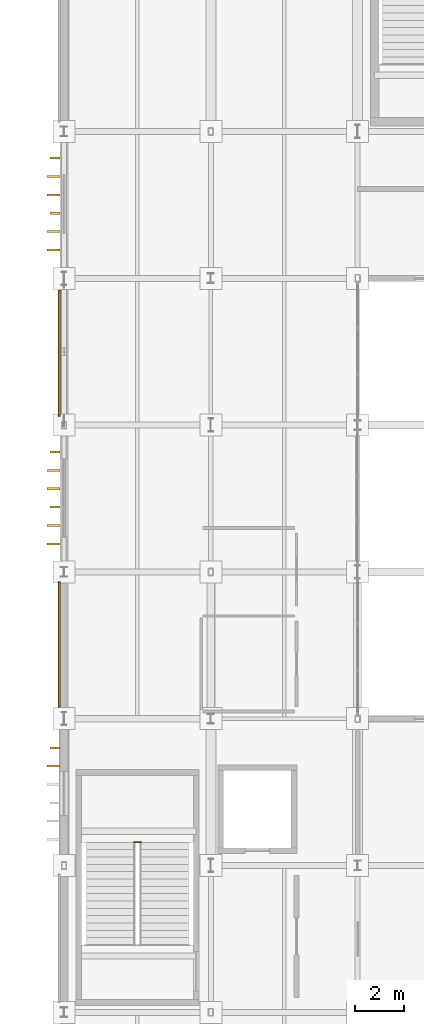
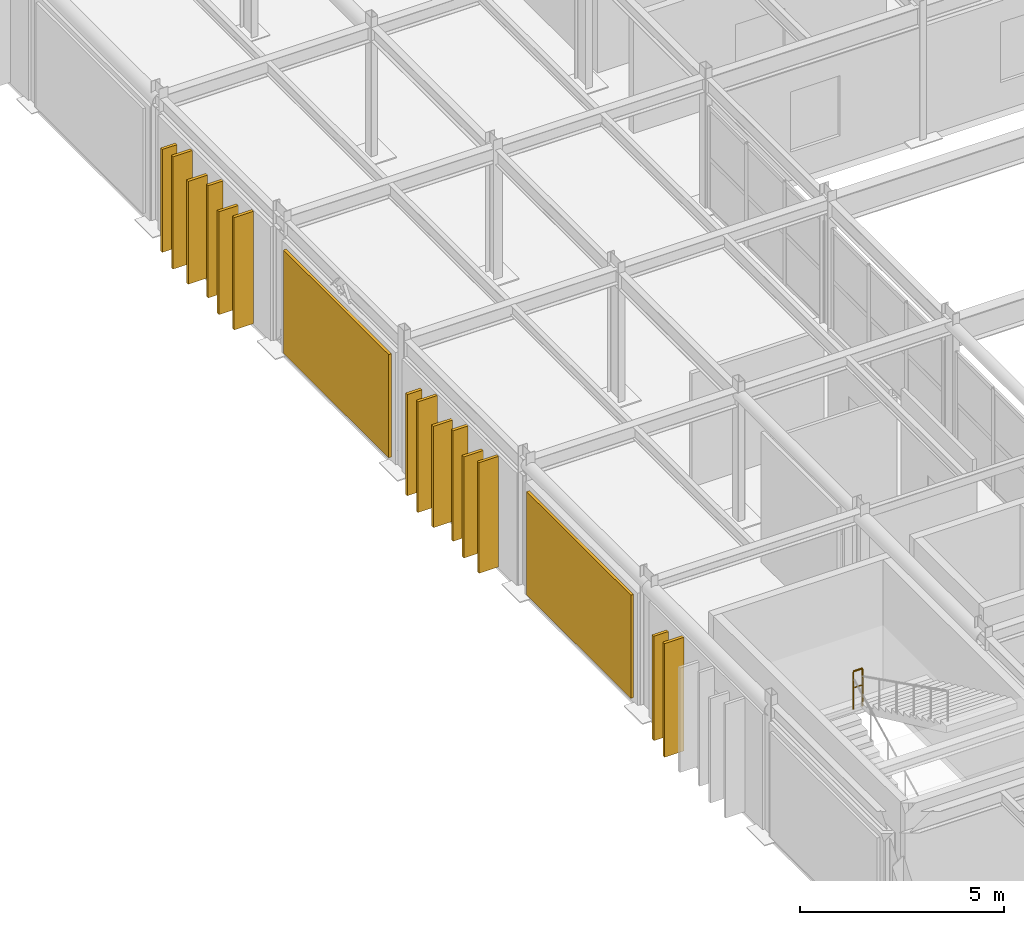
# One storey, part 105 of 116: 14 coverings, 2 shading devices, 1 railing.
"""IFC4 building model written with IfcOpenShell, lengths in metres."""

from ifc_helpers import new_model, si_unit, direction, frame, origin, origin_2d, place, context, subcontext, project, spatial, rectangle, circle, extrude, material, layer, layer_set, type_object, element, save


model = new_model("IFC4")

# Units and contexts
model_context = context("Model", 3, precision=1e-05, world=origin(), true_north=direction((0.0, 1.0)))
body_context = subcontext(model_context, "Body", "Model", "MODEL_VIEW")
ifc_project = project(units=[si_unit("LENGTHUNIT", "METRE"), si_unit("AREAUNIT", "SQUARE_METRE"), si_unit("VOLUMEUNIT", "CUBIC_METRE"), si_unit("PLANEANGLEUNIT", "RADIAN"), si_unit("MASSUNIT", "GRAM", prefix="KILO")], contexts=[model_context])

# Site, building, storey
site_placement = place(None, origin())
site = spatial("IfcSite", under=ifc_project, at=site_placement, CompositionType="ELEMENT")
building_placement = place(site_placement, origin())
building = spatial("IfcBuilding", under=site, at=building_placement, Name="Varnakota Square Police Headquarters", CompositionType="ELEMENT")
storey_placement = place(building_placement, frame((0.0, 0.0, 9.300048828125)))
storey = spatial("IfcBuildingStorey", under=building, at=storey_placement, Name="L02", CompositionType="ELEMENT", Elevation=9.300048828125)

# Coverings
ifc_material_1 = material(Name="White Anodised Aluminium Vertical Facade Blade 420", Category="aluminium")
ifc_layer_1 = layer(ifc_material_1, 0.0849609375, Name="White Anodised Aluminium Vertical Facade Blade 420")
ifc_layer_set_1 = layer_set([ifc_layer_1], Name="White Anodised Aluminium Vertical Facade Blade 420")
covering_type_1 = type_object("IfcCoveringType", Name="COV-FIN-420", PredefinedType="CLADDING", material=ifc_layer_set_1)
covering_1_placement = place(storey_placement, frame((5.635009765625, 37.8125, 0.0400390625), z_axis=(0.0, 0.0, 1.0), x_axis=(0.0, 1.0, 0.0)))
element("IfcCovering", 1, at=covering_1_placement, inside=storey, type_object=covering_type_1, Name="Vertical aluminium facade fin FIN-0959", PredefinedType="CLADDING", context=body_context, shape_type="SweptSolid", body=[
    extrude(rectangle(XDim=0.0849609375, YDim=0.419921875, at=origin_2d()), origin(), (0.0, 0.0, 1.0), 3.12353515625),
])
covering_2_placement = place(storey_placement, frame((5.635009765625, 47.64990234375, 0.0400390625), z_axis=(0.0, 0.0, 1.0), x_axis=(0.0, 1.0, 0.0)))
element("IfcCovering", 2, at=covering_2_placement, inside=storey, type_object=covering_type_1, Name="Vertical aluminium facade fin FIN-0962", PredefinedType="CLADDING", context=body_context, shape_type="SweptSolid", body=[
    extrude(rectangle(XDim=0.0849609375, YDim=0.419921875, at=origin_2d()), origin(), (0.0, 0.0, 1.0), 3.31005859375),
])
covering_3_placement = place(storey_placement, frame((5.635009765625, 49.89990234375, 0.0400390625), z_axis=(0.0, 0.0, 1.0), x_axis=(0.0, 1.0, 0.0)))
element("IfcCovering", 3, at=covering_3_placement, inside=storey, type_object=covering_type_1, Name="Vertical aluminium facade fin FIN-0965", PredefinedType="CLADDING", context=body_context, shape_type="SweptSolid", body=[
    extrude(rectangle(XDim=0.0849609375, YDim=0.419921875, at=origin_2d()), origin(), (0.0, 0.0, 1.0), 3.030029296875),
])
covering_4_placement = place(storey_placement, frame((5.635009765625, 59.66259765625, 0.0400390625), z_axis=(0.0, 0.0, 1.0), x_axis=(0.0, 1.0, 0.0)))
element("IfcCovering", 4, at=covering_4_placement, inside=storey, type_object=covering_type_1, Name="Vertical aluminium facade fin FIN-0968", PredefinedType="CLADDING", context=body_context, shape_type="SweptSolid", body=[
    extrude(rectangle(XDim=0.0849609375, YDim=0.419921875, at=origin_2d()), origin(), (0.0, 0.0, 1.0), 3.360107421875),
])
covering_5_placement = place(storey_placement, frame((5.635009765625, 61.91259765625, 0.039794921875), z_axis=(0.0, 0.0, 1.0), x_axis=(0.0, 1.0, 0.0)))
element("IfcCovering", 5, at=covering_5_placement, inside=storey, type_object=covering_type_1, Name="Vertical aluminium facade fin FIN-0971", PredefinedType="CLADDING", context=body_context, shape_type="SweptSolid", body=[
    extrude(rectangle(XDim=0.0849609375, YDim=0.419921875, at=origin_2d()), origin(), (0.0, 0.0, 1.0), 3.080078125),
])
ifc_material_2 = material(Name="White Anodised Aluminium Vertical Facade Blade 550", Category="aluminium")
ifc_layer_2 = layer(ifc_material_2, 0.0849609375, Name="White Anodised Aluminium Vertical Facade Blade 550")
ifc_layer_set_2 = layer_set([ifc_layer_2], Name="White Anodised Aluminium Vertical Facade Blade 550")
covering_type_2 = type_object("IfcCoveringType", Name="COV-FIN-550", PredefinedType="CLADDING", material=ifc_layer_set_2)
covering_6_placement = place(storey_placement, frame((5.570068359375, 37.0625, 0.0400390625), z_axis=(0.0, 0.0, 1.0), x_axis=(0.0, 1.0, 0.0)))
element("IfcCovering", 6, at=covering_6_placement, inside=storey, type_object=covering_type_2, Name="Vertical aluminium facade fin FIN-0958", PredefinedType="CLADDING", context=body_context, shape_type="SweptSolid", body=[
    extrude(rectangle(XDim=0.0849609375, YDim=0.550048828125, at=origin_2d()), origin(), (0.0, 0.0, 1.0), 3.403564453125),
])
covering_7_placement = place(storey_placement, frame((5.570068359375, 46.14990234375, 0.0400390625), z_axis=(0.0, 0.0, 1.0), x_axis=(0.0, 1.0, 0.0)))
element("IfcCovering", 7, at=covering_7_placement, inside=storey, type_object=covering_type_2, Name="Vertical aluminium facade fin FIN-0960", PredefinedType="CLADDING", context=body_context, shape_type="SweptSolid", body=[
    extrude(rectangle(XDim=0.0849609375, YDim=0.550048828125, at=origin_2d()), origin(), (0.0, 0.0, 1.0), 3.31005859375),
])
for number, where, z_axis, x_axis, name in (
    (8, (5.570068359375, 46.89990234375, 0.0400390625), (0.0, 0.0, 1.0), (0.0, 1.0, 0.0), "Vertical aluminium facade fin FIN-0961"),
    (9, (5.570068359375, 48.39990234375, 0.0400390625), (0.0, 0.0, 1.0), (0.0, 1.0, 0.0), "Vertical aluminium facade fin FIN-0963"),
):
    element("IfcCovering", number, at=place(storey_placement, frame(where, z_axis=z_axis, x_axis=x_axis)), inside=storey, type_object=covering_type_2, Name=name, PredefinedType="CLADDING", context=body_context, shape_type="SweptSolid", body=[
        extrude(rectangle(XDim=0.0849609375, YDim=0.550048828125, at=origin_2d()), origin(), (0.0, 0.0, 1.0), 3.030029296875),
    ])
covering_8_placement = place(storey_placement, frame((5.570068359375, 49.14990234375, 0.0400390625), z_axis=(0.0, 0.0, 1.0), x_axis=(0.0, 1.0, 0.0)))
element("IfcCovering", 10, at=covering_8_placement, inside=storey, type_object=covering_type_2, Name="Vertical aluminium facade fin FIN-0964", PredefinedType="CLADDING", context=body_context, shape_type="SweptSolid", body=[
    extrude(rectangle(XDim=0.0849609375, YDim=0.550048828125, at=origin_2d()), origin(), (0.0, 0.0, 1.0), 3.31005859375),
])
covering_9_placement = place(storey_placement, frame((5.570068359375, 58.16259765625, 0.0400390625), z_axis=(0.0, 0.0, 1.0), x_axis=(0.0, 1.0, 0.0)))
element("IfcCovering", 11, at=covering_9_placement, inside=storey, type_object=covering_type_2, Name="Vertical aluminium facade fin FIN-0966", PredefinedType="CLADDING", context=body_context, shape_type="SweptSolid", body=[
    extrude(rectangle(XDim=0.0849609375, YDim=0.550048828125, at=origin_2d()), origin(), (0.0, 0.0, 1.0), 3.360107421875),
])
for number, where, z_axis, x_axis, name in (
    (12, (5.570068359375, 58.91259765625, 0.039794921875), (0.0, 0.0, 1.0), (0.0, 1.0, 0.0), "Vertical aluminium facade fin FIN-0967"),
    (13, (5.570068359375, 60.41259765625, 0.039794921875), (0.0, 0.0, 1.0), (0.0, 1.0, 0.0), "Vertical aluminium facade fin FIN-0969"),
):
    element("IfcCovering", number, at=place(storey_placement, frame(where, z_axis=z_axis, x_axis=x_axis)), inside=storey, type_object=covering_type_2, Name=name, PredefinedType="CLADDING", context=body_context, shape_type="SweptSolid", body=[
        extrude(rectangle(XDim=0.0849609375, YDim=0.550048828125, at=origin_2d()), origin(), (0.0, 0.0, 1.0), 3.080078125),
    ])
covering_10_placement = place(storey_placement, frame((5.570068359375, 61.16259765625, 0.0400390625), z_axis=(0.0, 0.0, 1.0), x_axis=(0.0, 1.0, 0.0)))
element("IfcCovering", 14, at=covering_10_placement, inside=storey, type_object=covering_type_2, Name="Vertical aluminium facade fin FIN-0970", PredefinedType="CLADDING", context=body_context, shape_type="SweptSolid", body=[
    extrude(rectangle(XDim=0.0849609375, YDim=0.550048828125, at=origin_2d()), origin(), (0.0, 0.0, 1.0), 3.360107421875),
])

# Railing
ifc_material_3 = material(Name="Laminated Glass and Stainless Steel Balustrade", Category="steel")
railing_type = type_object("IfcRailingType", Name="RL-INT-1150", PredefinedType="BALUSTRADE", material=ifc_material_3)
railing_placement = place(storey_placement, frame((8.869873046875, 33.95068359375, 2.099853515625)))
element("IfcRailing", 15, at=railing_placement, inside=storey, type_object=railing_type, Name="Half-landing well guard C4 L02", PredefinedType="BALUSTRADE", context=body_context, shape_type="SweptSolid", body=[
    extrude(circle(Radius=0.02392578125, at=origin_2d()), frame((0.0, 0.0, 1.1259765625), z_axis=(1.0, 0.0, 0.0), x_axis=(0.0, 1.0, 0.0)), (0.0, 0.0, 1.0), 0.26025390625),
    extrude(circle(Radius=0.01806640625, at=origin_2d()), frame((0.0, 0.0, 0.63232421875), z_axis=(1.0, 0.0, 0.0), x_axis=(0.0, 1.0, 0.0)), (0.0, 0.0, 1.0), 0.26025390625),
    extrude(circle(Radius=0.02099609375, at=origin_2d()), origin(), (0.0, 0.0, 1.0), 1.101806640625),
    extrude(circle(Radius=0.02099609375, at=origin_2d()), frame((0.26025390625, 0.0, 0.0)), (0.0, 0.0, 1.0), 1.101806640625),
])

# Shading devices
ifc_material_4 = material(Name="Perforated Sandstone-Toned GRC Jali Screen", Category="masonry")
ifc_layer_3 = layer(ifc_material_4, 0.080078125, Name="Perforated Sandstone-Toned GRC Jali Screen")
ifc_layer_set_3 = layer_set([ifc_layer_3], Name="Perforated Sandstone-Toned GRC Jali Screen")
shading_device_type = type_object("IfcShadingDeviceType", Name="SHD-SCR-GRC", PredefinedType="USERDEFINED", material=ifc_layer_set_3)
shading_device_1_placement = place(storey_placement, frame((5.802001953125, 42.03759765625, 0.14990234375), z_axis=(0.0, 0.0, 1.0), x_axis=(0.0, 1.0, 0.0)))
element("IfcShadingDevice", 16, at=shading_device_1_placement, inside=storey, type_object=shading_device_type, Name="Perforated GRC solar screen SCR-010", ObjectType="SOLAR SCREEN", PredefinedType="USERDEFINED", context=body_context, shape_type="SweptSolid", body=[
    extrude(rectangle(XDim=5.116943359375, YDim=0.080078125, at=origin_2d()), origin(), (0.0, 0.0, 1.0), 3.090087890625),
])
shading_device_2_placement = place(storey_placement, frame((5.802001953125, 53.9375, 0.14990234375), z_axis=(0.0, 0.0, 1.0), x_axis=(0.0, 1.0, 0.0)))
element("IfcShadingDevice", 17, at=shading_device_2_placement, inside=storey, type_object=shading_device_type, Name="Perforated GRC solar screen SCR-011", ObjectType="SOLAR SCREEN", PredefinedType="USERDEFINED", context=body_context, shape_type="SweptSolid", body=[
    extrude(rectangle(XDim=5.1669921875, YDim=0.080078125, at=origin_2d()), origin(), (0.0, 0.0, 1.0), 3.090087890625),
])

save(model, "model.ifc")
